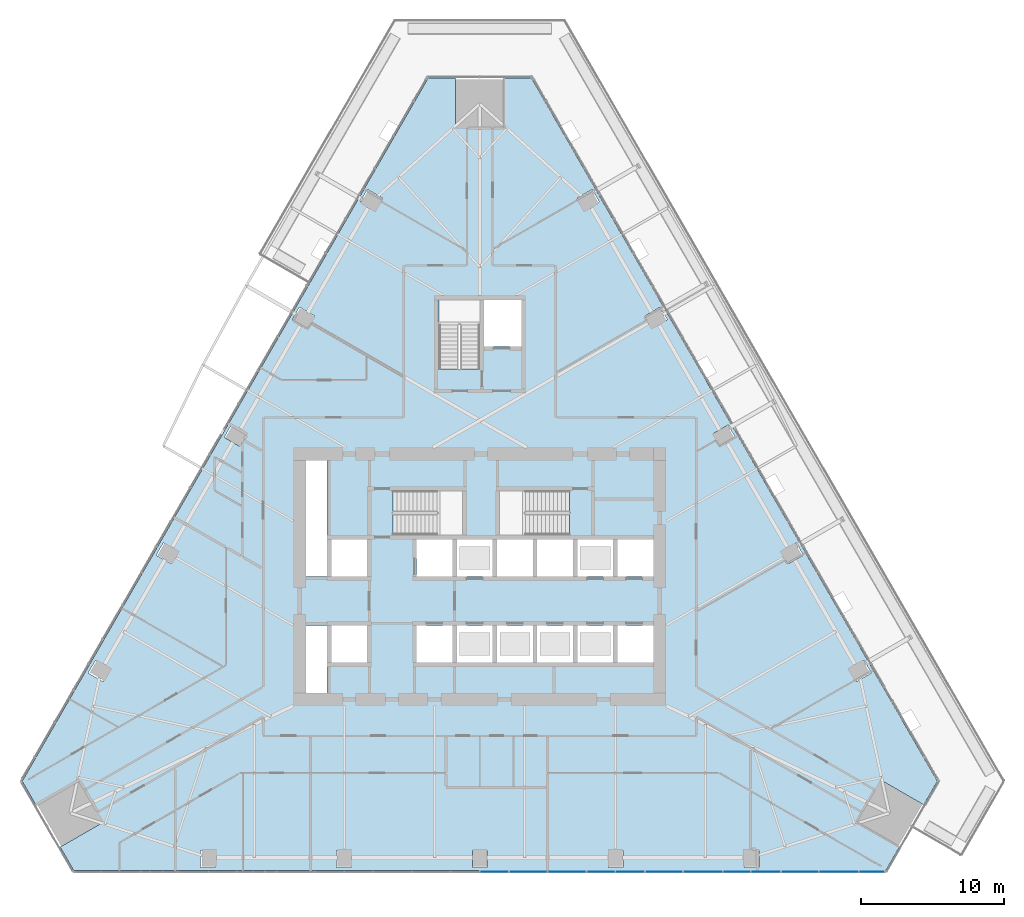
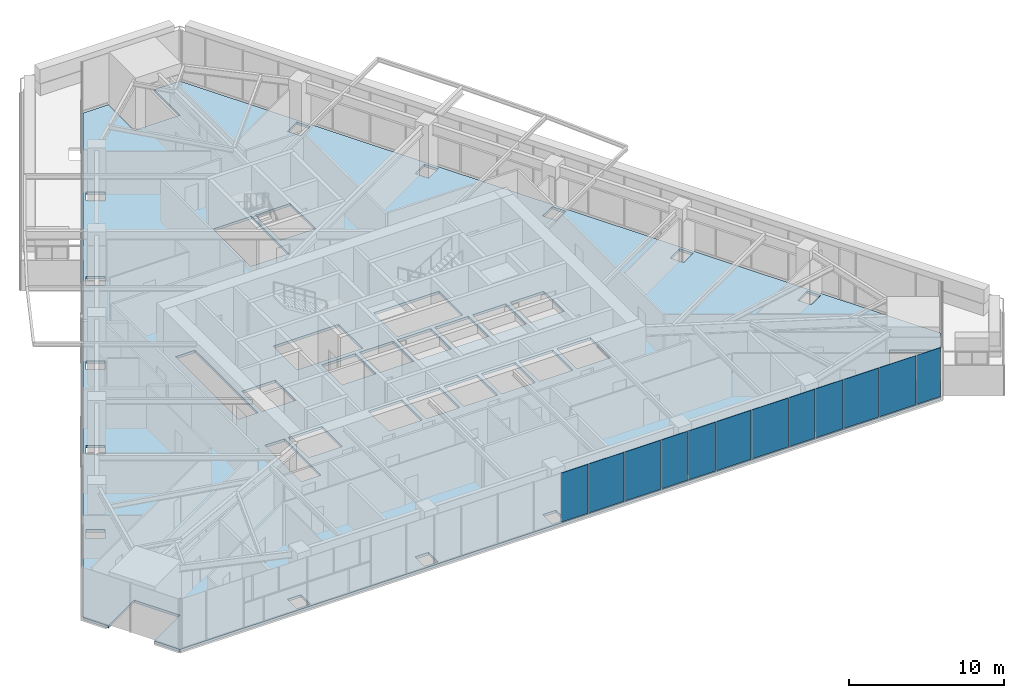
# One storey, part 14 of 29: 12 plates, 1 slab, 1 element without a shape of its own.
"""IFC4 building model written with IfcOpenShell, lengths in metres."""

import ifcopenshell
import ifcopenshell.guid

model = None  # the IFC model being written
_history = None  # IfcOwnerHistory: only IFC2X3 demands one
_inside = {}  # id of a spatial element -> (the spatial element, [elements in it])
_under = {}  # id of a project, library or spatial element -> (it, [spatial elements below it])
_declared = {}  # id of a project -> (the project, [libraries it declares])
_typed = {}  # id of a type object -> (the type object, [elements of that type])
_made_of = {}  # id of a material, layer set ... -> (it, [elements and type objects made of it])


def new_model(schema):
    """Start an empty IFC model of exactly this schema.

    Asked for "IFC4X3", IfcOpenShell would pick the latest addendum, in which some entities
    have other attributes; the version numbers below select the first issue.
    IFC2X3 requires an IfcOwnerHistory on every rooted entity: one is made here for all.
    """
    global model, _history
    if schema == "IFC4X3":
        model = ifcopenshell.file(schema_version=(4, 3, 0, 0))
    else:
        model = ifcopenshell.file(schema=schema)
    _inside.clear()
    _under.clear()
    _declared.clear()
    _typed.clear()
    _made_of.clear()
    _history = None
    if model.schema == "IFC2X3":
        org = make("IfcOrganization", Name="unknown")
        user = make(
            "IfcPersonAndOrganization",
            ThePerson=make("IfcPerson", FamilyName="unknown"),
            TheOrganization=org,
        )
        app = make(
            "IfcApplication",
            ApplicationDeveloper=org,
            Version="unknown",
            ApplicationFullName="unknown",
            ApplicationIdentifier="unknown",
        )
        _history = make(
            "IfcOwnerHistory",
            OwningUser=user,
            OwningApplication=app,
            ChangeAction="ADDED",
            CreationDate=0,
        )
    return model


def make(cls, **values):
    """One entity of the class cls with the attributes given. An attribute that is None is left unset."""
    return model.create_entity(
        cls, **{name: value for name, value in values.items() if value is not None}
    )


def rooted(cls, **values):
    """An entity with a GlobalId (a new one), such as an element, a storey or a relation."""
    return make(cls, GlobalId=ifcopenshell.guid.new(), OwnerHistory=_history, **values)


def si_unit(unit_type, name, prefix=None):
    """IfcSIUnit, for example si_unit("LENGTHUNIT", "METRE", prefix="MILLI")."""
    return make("IfcSIUnit", UnitType=unit_type, Prefix=prefix, Name=name)


def assignment(units):
    """IfcUnitAssignment: the units of a project."""
    return None if units is None else make("IfcUnitAssignment", Units=units)


def point(xyz):
    """IfcCartesianPoint."""
    return None if xyz is None else make("IfcCartesianPoint", Coordinates=xyz)


def direction(xyz):
    """IfcDirection."""
    return None if xyz is None else make("IfcDirection", DirectionRatios=xyz)


def frame(location, z_axis=None, x_axis=None):
    """IfcAxis2Placement3D, a coordinate frame: its origin and axes. An axis left out is left unset."""
    return make(
        "IfcAxis2Placement3D",
        Location=point(location),
        Axis=direction(z_axis),
        RefDirection=direction(x_axis),
    )


def origin():
    """The frame at (0, 0, 0) with its axes left unset."""
    return frame((0.0, 0.0, 0.0))


def place(relative_to, where):
    """IfcLocalPlacement: puts the frame where relative to a parent placement (None: the world)."""
    return make(
        "IfcLocalPlacement", PlacementRelTo=relative_to, RelativePlacement=where
    )


def context(
    kind, dimensions, precision=None, world=None, true_north=None, identifier=None
):
    """IfcGeometricRepresentationContext, for example the 3D "Model" context."""
    return make(
        "IfcGeometricRepresentationContext",
        ContextIdentifier=identifier,
        ContextType=kind,
        CoordinateSpaceDimension=dimensions,
        Precision=precision,
        WorldCoordinateSystem=world,
        TrueNorth=true_north,
    )


def subcontext(parent, identifier, kind, view, scale=None):
    """IfcGeometricRepresentationSubContext, for example "Body" below "Model"."""
    return make(
        "IfcGeometricRepresentationSubContext",
        ContextIdentifier=identifier,
        ContextType=kind,
        ParentContext=parent,
        TargetScale=scale,
        TargetView=view,
    )


def project(units=None, contexts=None):
    """IfcProject with its units and contexts."""
    return rooted(
        "IfcProject",
        Name="project",
        RepresentationContexts=contexts,
        UnitsInContext=assignment(units),
    )


def spatial(cls, under=None, at=None, **own):
    """A site, building, storey or space (cls), placed at a placement, below another one or the project."""
    s = rooted(cls, ObjectPlacement=at, **own)
    if under is not None:
        _under.setdefault(under.id(), (under, []))[1].append(s)
    return s


def polyline(points):
    """IfcPolyline through the points."""
    return make("IfcPolyline", Points=[point(p) for p in points])


def outline(outer, holes=None, kind="AREA"):
    """IfcArbitraryClosedProfileDef: a profile drawn as a closed curve; with holes, ...WithVoids."""
    if holes is None:
        return make("IfcArbitraryClosedProfileDef", ProfileType=kind, OuterCurve=outer)
    return make(
        "IfcArbitraryProfileDefWithVoids",
        ProfileType=kind,
        OuterCurve=outer,
        InnerCurves=holes,
    )


def extrude(swept, where, along, depth):
    """IfcExtrudedAreaSolid: the profile swept, set in the frame where, extruded along a direction by depth."""
    return make(
        "IfcExtrudedAreaSolid",
        SweptArea=swept,
        Position=where,
        ExtrudedDirection=direction(along),
        Depth=depth,
    )


def shape(context_of_items, identifier, shape_type, items):
    """IfcShapeRepresentation: the items that make up one representation, for example the "Body"."""
    return make(
        "IfcShapeRepresentation",
        ContextOfItems=context_of_items,
        RepresentationIdentifier=identifier,
        RepresentationType=shape_type,
        Items=items,
    )


def material(Name=None, Category=None):
    """IfcMaterial."""
    return make("IfcMaterial", Name=Name, Category=Category)


def layer(
    of_material, thickness, ventilated=None, Name=None, Category=None, Priority=None
):
    """IfcMaterialLayer: one layer of a wall or slab, of a material (None: an air gap)."""
    return make(
        "IfcMaterialLayer",
        Material=of_material,
        LayerThickness=thickness,
        IsVentilated=ventilated,
        Name=Name,
        Category=Category,
        Priority=Priority,
    )


def layer_set(layers, Name=None):
    """IfcMaterialLayerSet."""
    return make("IfcMaterialLayerSet", MaterialLayers=layers, LayerSetName=Name)


def made_of(thing, what):
    """Note that an element or type object is made of a material, layer set ...; save() writes the relation."""
    if what is not None:
        _made_of.setdefault(what.id(), (what, []))[1].append(thing)
    return thing


def type_object(cls, material=None, **own):
    """A type object (cls), such as IfcWallType, which elements share."""
    return made_of(rooted(cls, **own), material)


def element(
    cls,
    number,
    at=None,
    inside=None,
    cuts=None,
    type_object=None,
    material=None,
    context=None,
    identifier="Body",
    shape_type=None,
    held_by="IfcProductDefinitionShape",
    body=None,
    shapes=None,
    **own,
):
    """One element of the class cls, such as IfcWall. Its Tag is "e" and its number.

    at: its placement. inside: the storey or other place that contains it. cuts: it is an
    opening in that element (IfcRelVoidsElement). A single representation is given by context,
    identifier, shape_type and body (its items); several are given by shapes. held_by: the class
    of the entity that holds the representations. save() writes the other relations.
    """
    e = rooted(cls, Tag="e%d" % number, ObjectPlacement=at, **own)
    if body is not None:
        shapes = [shape(context, identifier, shape_type, body)]
    if shapes is not None:
        e.Representation = make(held_by, Representations=shapes)
    if inside is not None:
        _inside.setdefault(inside.id(), (inside, []))[1].append(e)
    if cuts is not None:
        rooted(
            "IfcRelVoidsElement", RelatingBuildingElement=cuts, RelatedOpeningElement=e
        )
    if type_object is not None:
        _typed.setdefault(type_object.id(), (type_object, []))[1].append(e)
    return made_of(e, material)


def aggregate(whole, parts):
    """IfcRelAggregates: a whole, such as a stair, and the parts it consists of."""
    return rooted("IfcRelAggregates", RelatingObject=whole, RelatedObjects=parts)


def save(model, path):
    """Write the relations noted so far, then the file.

    IfcRelAggregates (storeys below a building ...), IfcRelContainedInSpatialStructure (elements
    in a storey), IfcRelDefinesByType, IfcRelAssociatesMaterial and IfcRelDeclares: one each for
    every whole, place, type object, material and project.
    """
    for whole, parts in _under.values():
        aggregate(whole, parts)
    for where, things in _inside.values():
        rooted(
            "IfcRelContainedInSpatialStructure",
            RelatedElements=things,
            RelatingStructure=where,
        )
    for kind, things in _typed.values():
        rooted("IfcRelDefinesByType", RelatedObjects=things, RelatingType=kind)
    for what, things in _made_of.values():
        rooted("IfcRelAssociatesMaterial", RelatedObjects=things, RelatingMaterial=what)
    for by, libraries in _declared.values():
        rooted("IfcRelDeclares", RelatingContext=by, RelatedDefinitions=libraries)
    model.write(path)


model = new_model("IFC4")

# Units and contexts
model_context = context("Model", 3, precision=1e-05, world=origin(), true_north=direction((0.0, 1.0)))
body_context = subcontext(model_context, "Body", "Model", "MODEL_VIEW")
ifc_project = project(units=[si_unit("LENGTHUNIT", "METRE"), si_unit("AREAUNIT", "SQUARE_METRE"), si_unit("VOLUMEUNIT", "CUBIC_METRE"), si_unit("PLANEANGLEUNIT", "RADIAN"), si_unit("MASSUNIT", "GRAM", prefix="KILO")], contexts=[model_context])

# Site, building, storey
site_placement = place(None, origin())
site = spatial("IfcSite", under=ifc_project, at=site_placement, CompositionType="ELEMENT")
building_placement = place(site_placement, origin())
building = spatial("IfcBuilding", under=site, at=building_placement, Name="Firuza Gate Tower and Library", CompositionType="ELEMENT")
storey_placement = place(building_placement, frame((0.0, 0.0, 82.0)))
storey = spatial("IfcBuildingStorey", under=building, at=storey_placement, Name="L18", CompositionType="ELEMENT", Elevation=82.0)

# Slab
ifc_material_1 = material(Name="Concrete C40/50", Category="concrete")
ifc_layer_1 = layer(ifc_material_1, 0.199951171875)
ifc_layer_set_1 = layer_set([ifc_layer_1], Name="Composite floor slab 200 C40/50")
slab_type = type_object("IfcSlabType", Name="Composite floor slab 200 C40/50", PredefinedType="FLOOR", material=ifc_layer_set_1)
slab_placement = place(storey_placement, frame((0.0, 0.0, -0.199951171875)))
element("IfcSlab", 1, at=slab_placement, inside=storey, type_object=slab_type, Name="Floor slab L18", PredefinedType="FLOOR", context=body_context, shape_type="SweptSolid", body=[
    extrude(outline(polyline([(103.308349609375, 54.499267578125), (104.258544921875, 56.14453125), (101.374755859375, 57.8095703125), (103.07470703125, 60.75390625), (105.95849609375, 59.089111328125), (106.908447265625, 60.734619140625), (78.60009765625, 109.76611328125), (76.699951171875, 109.76611328125), (76.699951171875, 106.4365234375), (73.300048828125, 106.4365234375), (73.300048828125, 109.76611328125), (71.39990234375, 109.76611328125), (43.091552734375, 60.734619140625), (44.04150390625, 59.089111328125), (46.92529296875, 60.75390625), (48.625244140625, 57.8095703125), (45.741455078125, 56.14453125), (46.691650390625, 54.499267578125), (103.308349609375, 54.499267578125)]), holes=[polyline([(55.529296875, 54.714111328125), (55.529296875, 55.9140625), (56.529296875, 55.9140625), (56.529296875, 54.714111328125), (55.529296875, 54.714111328125)]), polyline([(65.0146484375, 54.714111328125), (65.0146484375, 55.9140625), (66.0146484375, 55.9140625), (66.0146484375, 54.714111328125), (65.0146484375, 54.714111328125)]), polyline([(48.196533203125, 69.14697265625), (49.23583984375, 68.546875), (48.73583984375, 67.680908203125), (47.696533203125, 68.281005859375), (48.196533203125, 69.14697265625)]), polyline([(64.35009765625, 66.89990234375), (62.89990234375, 66.89990234375), (62.89990234375, 71.60009765625), (64.35009765625, 71.60009765625), (64.35009765625, 66.89990234375)]), polyline([(75.89990234375, 69.0), (73.39990234375, 69.0), (73.39990234375, 71.60009765625), (75.89990234375, 71.60009765625), (75.89990234375, 69.0)]), polyline([(73.10009765625, 69.0), (70.60009765625, 69.0), (70.60009765625, 71.60009765625), (73.10009765625, 71.60009765625), (73.10009765625, 69.0)]), polyline([(64.64990234375, 69.0), (64.64990234375, 71.60009765625), (67.14990234375, 71.60009765625), (67.14990234375, 69.0), (64.64990234375, 69.0)]), polyline([(64.64990234375, 75.0), (64.64990234375, 77.60009765625), (67.14990234375, 77.60009765625), (67.14990234375, 75.0), (64.64990234375, 75.0)]), polyline([(75.89990234375, 75.0), (73.39990234375, 75.0), (73.39990234375, 77.60009765625), (75.89990234375, 77.60009765625), (75.89990234375, 75.0)]), polyline([(73.10009765625, 75.0), (70.60009765625, 75.0), (70.60009765625, 77.60009765625), (73.10009765625, 77.60009765625), (73.10009765625, 75.0)]), polyline([(52.939208984375, 77.361572265625), (53.978515625, 76.761474609375), (53.478515625, 75.8955078125), (52.439208984375, 76.495361328125), (52.939208984375, 77.361572265625)]), polyline([(62.89990234375, 75.0), (62.89990234375, 83.10009765625), (64.35009765625, 83.10009765625), (64.35009765625, 75.0), (62.89990234375, 75.0)]), polyline([(68.9404296875, 77.89990234375), (68.9404296875, 80.97998046875), (73.81005859375, 80.97998046875), (73.81005859375, 77.89990234375), (68.9404296875, 77.89990234375)]), polyline([(57.681884765625, 85.575927734375), (58.72119140625, 84.97607421875), (58.22119140625, 84.10986328125), (57.181884765625, 84.7099609375), (57.681884765625, 85.575927734375)]), polyline([(72.159912109375, 89.470458984375), (72.159912109375, 94.300048828125), (75.0, 94.300048828125), (75.0, 89.470458984375), (72.159912109375, 89.470458984375)]), polyline([(62.424560546875, 93.79052734375), (63.463623046875, 93.1904296875), (62.963623046875, 92.324462890625), (61.924560546875, 92.924560546875), (62.424560546875, 93.79052734375)]), polyline([(68.206298828125, 101.405029296875), (67.706298828125, 100.5390625), (66.667236328125, 101.138916015625), (67.167236328125, 102.005126953125), (68.206298828125, 101.405029296875)]), polyline([(93.470703125, 54.714111328125), (93.470703125, 55.9140625), (94.470703125, 55.9140625), (94.470703125, 54.714111328125), (93.470703125, 54.714111328125)]), polyline([(74.5, 54.714111328125), (74.5, 55.9140625), (75.5, 55.9140625), (75.5, 54.714111328125), (74.5, 54.714111328125)]), polyline([(83.9853515625, 54.714111328125), (83.9853515625, 55.9140625), (84.9853515625, 55.9140625), (84.9853515625, 54.714111328125), (83.9853515625, 54.714111328125)]), polyline([(102.303466796875, 68.281005859375), (101.26416015625, 67.680908203125), (100.76416015625, 68.546875), (101.803466796875, 69.14697265625), (102.303466796875, 68.281005859375)]), polyline([(78.699951171875, 69.0), (76.199951171875, 69.0), (76.199951171875, 71.60009765625), (78.699951171875, 71.60009765625), (78.699951171875, 69.0)]), polyline([(81.5, 69.0), (79.0, 69.0), (79.0, 71.60009765625), (81.5, 71.60009765625), (81.5, 69.0)]), polyline([(84.60009765625, 69.0), (84.60009765625, 71.60009765625), (87.10009765625, 71.60009765625), (87.10009765625, 69.0), (84.60009765625, 69.0)]), polyline([(81.800048828125, 69.0), (81.800048828125, 71.60009765625), (84.300048828125, 71.60009765625), (84.300048828125, 69.0), (81.800048828125, 69.0)]), polyline([(84.300048828125, 75.0), (81.800048828125, 75.0), (81.800048828125, 77.60009765625), (84.300048828125, 77.60009765625), (84.300048828125, 75.0)]), polyline([(87.10009765625, 75.0), (84.60009765625, 75.0), (84.60009765625, 77.60009765625), (87.10009765625, 77.60009765625), (87.10009765625, 75.0)]), polyline([(81.5, 75.0), (79.0, 75.0), (79.0, 77.60009765625), (81.5, 77.60009765625), (81.5, 75.0)]), polyline([(76.199951171875, 75.0), (76.199951171875, 77.60009765625), (78.699951171875, 77.60009765625), (78.699951171875, 75.0), (76.199951171875, 75.0)]), polyline([(96.521484375, 75.8955078125), (96.021484375, 76.761474609375), (97.060791015625, 77.361572265625), (97.560791015625, 76.495361328125), (96.521484375, 75.8955078125)]), polyline([(81.259521484375, 77.89990234375), (76.389892578125, 77.89990234375), (76.389892578125, 80.97998046875), (81.259521484375, 80.97998046875), (81.259521484375, 77.89990234375)]), polyline([(92.818115234375, 84.7099609375), (91.77880859375, 84.10986328125), (91.27880859375, 84.97607421875), (92.318115234375, 85.575927734375), (92.818115234375, 84.7099609375)]), polyline([(77.89990234375, 91.050048828125), (75.300048828125, 91.050048828125), (75.300048828125, 94.300048828125), (77.89990234375, 94.300048828125), (77.89990234375, 91.050048828125)]), polyline([(87.036376953125, 92.324462890625), (86.536376953125, 93.1904296875), (87.575439453125, 93.79052734375), (88.075439453125, 92.924560546875), (87.036376953125, 92.324462890625)]), polyline([(82.293701171875, 100.5390625), (81.793701171875, 101.405029296875), (82.832763671875, 102.005126953125), (83.332763671875, 101.138916015625), (82.293701171875, 100.5390625)])]), origin(), (0.0, 0.0, 1.0), 0.199951171875),
])

# Curtain wall, plates
ifc_material_2 = material(Name="Aluminium 6063-T6", Category="aluminium")
ifc_layer_2 = layer(ifc_material_2, 0.14990234375)
ifc_layer_set_2 = layer_set([ifc_layer_2], Name="Unitised curtain wall, offices")
curtain_wall_type = type_object("IfcCurtainWallType", Name="Unitised curtain wall, offices", PredefinedType="NOTDEFINED", material=ifc_layer_set_2)
curtain_wall_placement = place(storey_placement, origin())
curtain_wall = element("IfcCurtainWall", 2, at=curtain_wall_placement, inside=storey, type_object=curtain_wall_type, Name="CW1 L18 S face", PredefinedType="NOTDEFINED")
ifc_material_3 = material(Name="Fritted glass", Category="glass")
ifc_layer_3 = layer(ifc_material_3, 0.030029296875)
ifc_layer_set_3 = layer_set([ifc_layer_3], Name="Fritted glass unit, offices")
plate_type_1 = type_object("IfcPlateType", Name="Fritted glass unit, offices", PredefinedType="CURTAIN_PANEL", material=ifc_layer_set_3)
plate_1_placement = place(storey_placement, frame((75.0400390625, 54.4091796875, 0.14990234375), z_axis=(0.0, -1.0, 0.0), x_axis=(1.0, 0.0, 0.0)))
plate_1 = element("IfcPlate", 3, at=plate_1_placement, type_object=plate_type_1, Name="Glass unit", PredefinedType="CURTAIN_PANEL", context=body_context, shape_type="SweptSolid", body=[
    extrude(outline(polyline([(0.0, 0.0), (1.957275390625, 0.0), (1.957275390625, 3.85009765625), (0.0, 3.85009765625), (0.0, 0.0)])), origin(), (0.0, 0.0, -1.0), 0.030029296875),
])
plate_2_placement = place(storey_placement, frame((82.488037109375, 54.4091796875, 0.14990234375), z_axis=(0.0, -1.0, 0.0), x_axis=(1.0, 0.0, 0.0)))
plate_2 = element("IfcPlate", 4, at=plate_2_placement, type_object=plate_type_1, Name="Glass unit", PredefinedType="CURTAIN_PANEL", context=body_context, shape_type="SweptSolid", body=[
    extrude(outline(polyline([(0.0, 0.0), (1.922607421875, 0.0), (1.922607421875, 3.85009765625), (0.0, 3.85009765625), (0.0, 0.0)])), origin(), (0.0, 0.0, -1.0), 0.030029296875),
])
plate_3_placement = place(storey_placement, frame((84.490478515625, 54.4091796875, 0.14990234375), z_axis=(0.0, -1.0, 0.0), x_axis=(1.0, 0.0, 0.0)))
plate_3 = element("IfcPlate", 5, at=plate_3_placement, type_object=plate_type_1, Name="Glass unit", PredefinedType="CURTAIN_PANEL", context=body_context, shape_type="SweptSolid", body=[
    extrude(outline(polyline([(0.0, 0.0), (1.9921875, 0.0), (1.9921875, 3.85009765625), (0.0, 3.85009765625), (0.0, 0.0)])), origin(), (0.0, 0.0, -1.0), 0.030029296875),
])
plate_4_placement = place(storey_placement, frame((91.973388671875, 54.4091796875, 0.14990234375), z_axis=(0.0, -1.0, 0.0), x_axis=(1.0, 0.0, 0.0)))
plate_4 = element("IfcPlate", 6, at=plate_4_placement, type_object=plate_type_1, Name="Glass unit", PredefinedType="CURTAIN_PANEL", context=body_context, shape_type="SweptSolid", body=[
    extrude(outline(polyline([(0.0, 0.0), (1.8876953125, 0.0), (1.8876953125, 3.85009765625), (0.0, 3.85009765625), (0.0, 0.0)])), origin(), (0.0, 0.0, -1.0), 0.030029296875),
])
plate_5_placement = place(storey_placement, frame((93.941162109375, 54.4091796875, 0.14990234375), z_axis=(0.0, -1.0, 0.0), x_axis=(1.0, 0.0, 0.0)))
plate_5 = element("IfcPlate", 7, at=plate_5_placement, type_object=plate_type_1, Name="Glass unit", PredefinedType="CURTAIN_PANEL", context=body_context, shape_type="SweptSolid", body=[
    extrude(outline(polyline([(0.0, 0.0), (2.02685546875, 0.0), (2.02685546875, 3.85009765625), (0.0, 3.85009765625), (0.0, 0.0)])), origin(), (0.0, 0.0, -1.0), 0.030029296875),
])
plate_6_placement = place(storey_placement, frame((101.45849609375, 54.4091796875, 0.14990234375), z_axis=(0.0, -1.0, 0.0), x_axis=(1.0, 0.0, 0.0)))
plate_6 = element("IfcPlate", 8, at=plate_6_placement, type_object=plate_type_1, Name="Glass unit", PredefinedType="CURTAIN_PANEL", context=body_context, shape_type="SweptSolid", body=[
    extrude(outline(polyline([(0.0, 0.0), (1.734619140625, 0.0), (1.734619140625, 3.85009765625), (0.0, 3.85009765625), (0.0, 0.0)])), origin(), (0.0, 0.0, -1.0), 0.030029296875),
])
ifc_material_4 = material(Name="Glazed ceramic tile")
ifc_layer_4 = layer(ifc_material_4, 0.030029296875)
ifc_layer_set_4 = layer_set([ifc_layer_4], Name="Opaque ceramic panel, offices")
plate_type_2 = type_object("IfcPlateType", Name="Opaque ceramic panel, offices", PredefinedType="CURTAIN_PANEL", material=ifc_layer_set_4)
plate_7_placement = place(storey_placement, frame((77.077392578125, 54.4091796875, 0.14990234375), z_axis=(0.0, -1.0, 0.0), x_axis=(1.0, 0.0, 0.0)))
plate_7 = element("IfcPlate", 9, at=plate_7_placement, type_object=plate_type_2, Name="Opaque ceramic panel", PredefinedType="CURTAIN_PANEL", context=body_context, shape_type="SweptSolid", body=[
    extrude(outline(polyline([(0.0, 0.0), (2.60791015625, 0.0), (2.60791015625, 3.85009765625), (0.0, 3.85009765625), (0.0, 0.0)])), origin(), (0.0, 0.0, -1.0), 0.030029296875),
])
plate_8_placement = place(storey_placement, frame((79.765380859375, 54.4091796875, 0.14990234375), z_axis=(0.0, -1.0, 0.0), x_axis=(1.0, 0.0, 0.0)))
plate_8 = element("IfcPlate", 10, at=plate_8_placement, type_object=plate_type_2, Name="Opaque ceramic panel", PredefinedType="CURTAIN_PANEL", context=body_context, shape_type="SweptSolid", body=[
    extrude(outline(polyline([(0.0, 0.0), (2.642578125, 0.0), (2.642578125, 3.85009765625), (0.0, 3.85009765625), (0.0, 0.0)])), origin(), (0.0, 0.0, -1.0), 0.030029296875),
])
plate_9_placement = place(storey_placement, frame((86.5625, 54.4091796875, 0.14990234375), z_axis=(0.0, -1.0, 0.0), x_axis=(1.0, 0.0, 0.0)))
plate_9 = element("IfcPlate", 11, at=plate_9_placement, type_object=plate_type_2, Name="Opaque ceramic panel", PredefinedType="CURTAIN_PANEL", context=body_context, shape_type="SweptSolid", body=[
    extrude(outline(polyline([(0.0, 0.0), (2.5732421875, 0.0), (2.5732421875, 3.85009765625), (0.0, 3.85009765625), (0.0, 0.0)])), origin(), (0.0, 0.0, -1.0), 0.030029296875),
])
plate_10_placement = place(storey_placement, frame((89.2158203125, 54.4091796875, 0.14990234375), z_axis=(0.0, -1.0, 0.0), x_axis=(1.0, 0.0, 0.0)))
plate_10 = element("IfcPlate", 12, at=plate_10_placement, type_object=plate_type_2, Name="Opaque ceramic panel", PredefinedType="CURTAIN_PANEL", context=body_context, shape_type="SweptSolid", body=[
    extrude(outline(polyline([(0.0, 0.0), (2.677490234375, 0.0), (2.677490234375, 3.85009765625), (0.0, 3.85009765625), (0.0, 0.0)])), origin(), (0.0, 0.0, -1.0), 0.030029296875),
])
plate_11_placement = place(storey_placement, frame((96.0478515625, 54.4091796875, 0.14990234375), z_axis=(0.0, -1.0, 0.0), x_axis=(1.0, 0.0, 0.0)))
plate_11 = element("IfcPlate", 13, at=plate_11_placement, type_object=plate_type_2, Name="Opaque ceramic panel", PredefinedType="CURTAIN_PANEL", context=body_context, shape_type="SweptSolid", body=[
    extrude(outline(polyline([(0.0, 0.0), (2.53857421875, 0.0), (2.53857421875, 3.85009765625), (0.0, 3.85009765625), (0.0, 0.0)])), origin(), (0.0, 0.0, -1.0), 0.030029296875),
])
plate_12_placement = place(storey_placement, frame((98.66650390625, 54.4091796875, 0.14990234375), z_axis=(0.0, -1.0, 0.0), x_axis=(1.0, 0.0, 0.0)))
plate_12 = element("IfcPlate", 14, at=plate_12_placement, type_object=plate_type_2, Name="Opaque ceramic panel", PredefinedType="CURTAIN_PANEL", context=body_context, shape_type="SweptSolid", body=[
    extrude(outline(polyline([(0.0, 0.0), (2.712158203125, 0.0), (2.712158203125, 3.85009765625), (0.0, 3.85009765625), (0.0, 0.0)])), origin(), (0.0, 0.0, -1.0), 0.030029296875),
])
aggregate(curtain_wall, [plate_1, plate_7, plate_8, plate_2, plate_3, plate_9, plate_10, plate_4, plate_5, plate_11, plate_12, plate_6])

save(model, "model.ifc")
